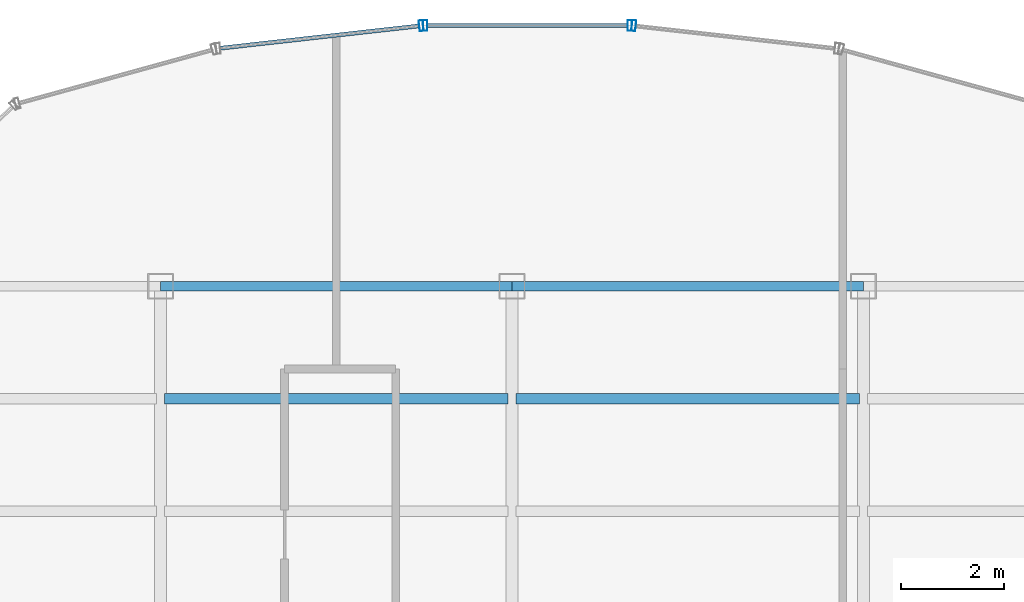
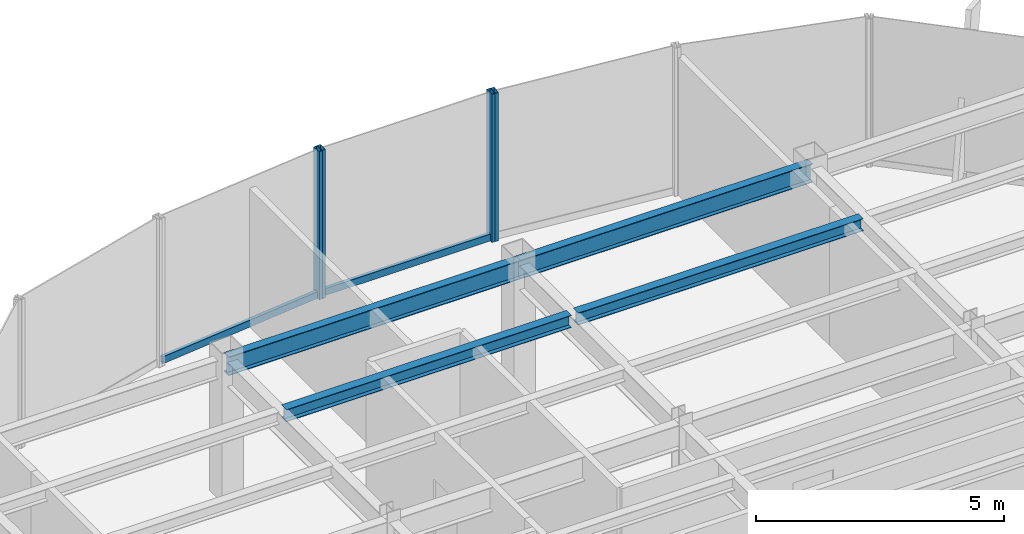
# One storey, part 13 of 22: 6 members, 4 beams, 3 elements without a shape of their own.
"""IFC4 building model written with IfcOpenShell, lengths in metres."""

from ifc_helpers import new_model, si_unit, derived_unit, direction, frame, origin, origin_2d, place, context, subcontext, project, spatial, hollow_rectangle, i_section, extrude, source, transform, mapped, material, material_profile, profile_set, type_object, element, aggregate, save


model = new_model("IFC4")

# Units and contexts
model_context = context("Model", 3, precision=1e-05, world=origin(), true_north=direction((0.0, 1.0)))
body_context = subcontext(model_context, "Body", "Model", "MODEL_VIEW")
ifc_project = project(units=[si_unit("LENGTHUNIT", "METRE"), si_unit("AREAUNIT", "SQUARE_METRE"), si_unit("VOLUMEUNIT", "CUBIC_METRE"), si_unit("PLANEANGLEUNIT", "RADIAN"), si_unit("MASSUNIT", "GRAM", prefix="KILO"), derived_unit("THERMALTRANSMITTANCEUNIT", [(si_unit("POWERUNIT", "WATT"), 1), (si_unit("LENGTHUNIT", "METRE"), -2), (si_unit("THERMODYNAMICTEMPERATUREUNIT", "KELVIN"), -1)])], contexts=[model_context])

# Site, building, storey
site_placement = place(None, origin())
site = spatial("IfcSite", under=ifc_project, at=site_placement, CompositionType="ELEMENT")
building_placement = place(site_placement, origin())
building = spatial("IfcBuilding", under=site, at=building_placement, Name="Skarnbrae Concourse Arena and Tower", CompositionType="ELEMENT")
storey_placement = place(building_placement, frame((0.0, 0.0, 258.800048828125)))
storey = spatial("IfcBuildingStorey", under=building, at=storey_placement, Name="L67", CompositionType="ELEMENT", Elevation=258.800048828125)

# Beams
ifc_material_1 = material(Name="Steel CSA G40.21 350W", Category="steel")
ifc_material_profile_1 = material_profile(ifc_material_1, i_section(OverallWidth=0.19091796875, OverallDepth=0.4599609375, WebThickness=0.010009765625, FlangeThickness=0.01611328125, at=origin_2d()), Name="W460X82")
ifc_profile_set_1 = profile_set([ifc_material_profile_1], Name="Steel CSA G40.21 350W")
beam_type_1 = type_object("IfcBeamType", Name="BM-SPAN-W460X82", PredefinedType="SPANDREL", material=ifc_profile_set_1)
shared_shape_1 = source(origin(), body_context, "Body", "SweptSolid", [
    extrude(i_section(OverallWidth=0.19091796875, OverallDepth=0.4599609375, WebThickness=0.010009765625, FlangeThickness=0.01611328125, at=origin_2d()), origin(), (0.0, 0.0, 1.0), 6.800048828125),
])
for number, where, z_axis, x_axis, name in (
    (1, (14.39990234375, 34.39990234375, 3.169921875), (1.0, 0.0, 0.0), (0.0, 1.0, 0.0), "L67 Perimeter spandrel Y34.4-2"),
    (2, (21.199951171875, 34.39990234375, 3.169921875), (1.0, 0.0, 0.0), (0.0, 1.0, 0.0), "L67 Perimeter spandrel Y34.4-3"),
):
    element("IfcBeam", number, at=place(storey_placement, frame(where, z_axis=z_axis, x_axis=x_axis)), inside=storey, type_object=beam_type_1, Name=name, PredefinedType="SPANDREL", context=body_context, shape_type="MappedRepresentation", body=[
        mapped(shared_shape_1, transform((0.0, 0.0, 0.0))),
    ])
ifc_material_profile_2 = material_profile(ifc_material_1, i_section(OverallWidth=0.202880859375, OverallDepth=0.302978515625, WebThickness=0.007568359375, FlangeThickness=0.01318359375, at=origin_2d()), Name="W310X60")
ifc_profile_set_2 = profile_set([ifc_material_profile_2], Name="Steel CSA G40.21 350W")
beam_type_2 = type_object("IfcBeamType", Name="BM-JOIST-W310X60", PredefinedType="JOIST", material=ifc_profile_set_2)
shared_shape_2 = source(origin(), body_context, "Body", "SweptSolid", [
    extrude(i_section(OverallWidth=0.202880859375, OverallDepth=0.302978515625, WebThickness=0.007568359375, FlangeThickness=0.01318359375, at=origin_2d()), origin(), (0.0, 0.0, 1.0), 6.64013671875),
])
beam_1_placement = place(storey_placement, frame((14.47998046875, 32.221923828125, 3.24853515625), z_axis=(1.0, 0.0, 0.0), x_axis=(0.0, 1.0, 0.0)))
element("IfcBeam", 3, at=beam_1_placement, inside=storey, type_object=beam_type_2, Name="L67 Secondary floor joist 3.2.2", PredefinedType="JOIST", context=body_context, shape_type="MappedRepresentation", body=[
    mapped(shared_shape_2, transform((0.0, 0.0, 0.0))),
])
shared_shape_3 = source(origin(), body_context, "Body", "SweptSolid", [
    extrude(i_section(OverallWidth=0.202880859375, OverallDepth=0.302978515625, WebThickness=0.007568359375, FlangeThickness=0.01318359375, at=origin_2d()), origin(), (0.0, 0.0, 1.0), 6.639892578125),
])
beam_2_placement = place(storey_placement, frame((21.280029296875, 32.221923828125, 3.24853515625), z_axis=(1.0, 0.0, 0.0), x_axis=(0.0, 1.0, 0.0)))
element("IfcBeam", 4, at=beam_2_placement, inside=storey, type_object=beam_type_2, Name="L67 Secondary floor joist 3.2.3", PredefinedType="JOIST", context=body_context, shape_type="MappedRepresentation", body=[
    mapped(shared_shape_3, transform((0.0, 0.0, 0.0))),
])

# Curtain wall, member
ifc_material_2 = material(Name="Bronze anodised aluminium 6063-T6", Category="aluminium")
curtain_wall_type = type_object("IfcCurtainWallType", Name="CW-SYS-03-PORTAL", PredefinedType="USERDEFINED", material=ifc_material_2)
curtain_wall_1_placement = place(storey_placement, origin())
curtain_wall_1 = element("IfcCurtainWall", 5, at=curtain_wall_1_placement, inside=storey, type_object=curtain_wall_type, Name="L67 Unitised curtain wall CW-L67-E10", ObjectType="UNITISED CURTAIN WALL", PredefinedType="USERDEFINED")
ifc_material_profile_3 = material_profile(ifc_material_2, hollow_rectangle(XDim=0.080078125, YDim=0.2099609375, WallThickness=0.00439453125, at=origin_2d()), Name="ALU-MULL-80X210")
ifc_profile_set_3 = profile_set([ifc_material_profile_3], Name="Bronze anodised aluminium 6063-T6")
member_type_1 = type_object("IfcMemberType", Name="CWM-CW-03", PredefinedType="MULLION", material=ifc_profile_set_3)
shared_shape_4 = source(origin(), body_context, "Body", "SweptSolid", [
    extrude(hollow_rectangle(XDim=0.080078125, YDim=0.2099609375, WallThickness=0.00439453125, at=origin_2d()), origin(), (0.0, 0.0, 1.0), 3.64990234375),
])
member_1_placement = place(storey_placement, frame((23.556884765625, 39.442138671875, 0.0), z_axis=(0.0, 0.0, 1.0), x_axis=(-0.993768891873, 0.111460259941, 0.0)))
member_1 = element("IfcMember", 6, at=member_1_placement, type_object=member_type_1, Name="CW-L67-E10 Mullion 2", PredefinedType="MULLION", context=body_context, shape_type="MappedRepresentation", body=[
    mapped(shared_shape_4, transform((0.0, 0.0, 0.0))),
])
aggregate(curtain_wall_1, [member_1])

# Curtain wall, members
curtain_wall_2_placement = place(storey_placement, origin())
curtain_wall_2 = element("IfcCurtainWall", 7, at=curtain_wall_2_placement, inside=storey, type_object=curtain_wall_type, Name="L67 Unitised curtain wall CW-L67-E11", ObjectType="UNITISED CURTAIN WALL", PredefinedType="USERDEFINED")
member_2_placement = place(storey_placement, frame((23.477294921875, 39.44677734375, 0.0), z_axis=(0.0, 0.0, 1.0), x_axis=(-1.0, 0.0, 0.0)))
member_2 = element("IfcMember", 8, at=member_2_placement, type_object=member_type_1, Name="CW-L67-E11 Mullion 1", PredefinedType="MULLION", context=body_context, shape_type="MappedRepresentation", body=[
    mapped(shared_shape_4, transform((0.0, 0.0, 0.0))),
])
member_3_placement = place(storey_placement, frame((19.522705078125, 39.44677734375, 0.0), z_axis=(0.0, 0.0, 1.0), x_axis=(-1.0, 0.0, 0.0)))
member_3 = element("IfcMember", 9, at=member_3_placement, type_object=member_type_1, Name="CW-L67-E11 Mullion 2", PredefinedType="MULLION", context=body_context, shape_type="MappedRepresentation", body=[
    mapped(shared_shape_4, transform((0.0, 0.0, 0.0))),
])

curtain_wall_3_placement = place(storey_placement, origin())
curtain_wall_3 = element("IfcCurtainWall", 10, at=curtain_wall_3_placement, inside=storey, type_object=curtain_wall_type, Name="L67 Unitised curtain wall CW-L67-E12", ObjectType="UNITISED CURTAIN WALL", PredefinedType="USERDEFINED")
member_4_placement = place(storey_placement, frame((19.443115234375, 39.442138671875, 0.0), z_axis=(0.0, 0.0, 1.0), x_axis=(-0.993768891873, -0.111460259941, 0.0)))
member_4 = element("IfcMember", 11, at=member_4_placement, type_object=member_type_1, Name="CW-L67-E12 Mullion 1", PredefinedType="MULLION", context=body_context, shape_type="MappedRepresentation", body=[
    mapped(shared_shape_4, transform((0.0, 0.0, 0.0))),
])
ifc_material_profile_4 = material_profile(ifc_material_2, hollow_rectangle(XDim=0.080078125, YDim=0.169921875, WallThickness=0.00439453125, at=origin_2d()), Name="ALU-TRAN-80X170")
ifc_profile_set_4 = profile_set([ifc_material_profile_4], Name="Bronze anodised aluminium 6063-T6")
member_type_2 = type_object("IfcMemberType", Name="CWT-CW-03", PredefinedType="USERDEFINED", material=ifc_profile_set_4)
shared_shape_5 = source(origin(), body_context, "Body", "SweptSolid", [
    extrude(hollow_rectangle(XDim=0.080078125, YDim=0.169921875, WallThickness=0.00439453125, at=origin_2d()), origin(), (0.0, 0.0, 1.0), 3.873779296875),
])
member_5_placement = place(storey_placement, frame((19.4033203125, 39.437744140625, 0.0849609375), z_axis=(-0.993772558096, -0.111427567397, 0.0), x_axis=(0.111427567397, -0.993772558096, 0.0)))
member_5 = element("IfcMember", 12, at=member_5_placement, type_object=member_type_2, Name="CW-L67-E12 Transom 1", ObjectType="TRANSOM", PredefinedType="USERDEFINED", context=body_context, shape_type="MappedRepresentation", body=[
    mapped(shared_shape_5, transform((0.0, 0.0, 0.0))),
])
aggregate(curtain_wall_3, [member_4, member_5])

# Member
shared_shape_6 = source(origin(), body_context, "Body", "SweptSolid", [
    extrude(hollow_rectangle(XDim=0.080078125, YDim=0.169921875, WallThickness=0.00439453125, at=origin_2d()), origin(), (0.0, 0.0, 1.0), 3.87451171875),
])
member_6_placement = place(storey_placement, frame((23.437255859375, 39.44677734375, 0.0849609375), z_axis=(-1.0, 0.0, 0.0), x_axis=(0.0, -1.0, 0.0)))
member_6 = element("IfcMember", 13, at=member_6_placement, type_object=member_type_2, Name="CW-L67-E11 Transom 1", ObjectType="TRANSOM", PredefinedType="USERDEFINED", context=body_context, shape_type="MappedRepresentation", body=[
    mapped(shared_shape_6, transform((0.0, 0.0, 0.0))),
])

aggregate(curtain_wall_2, [member_2, member_3, member_6])

save(model, "model.ifc")
